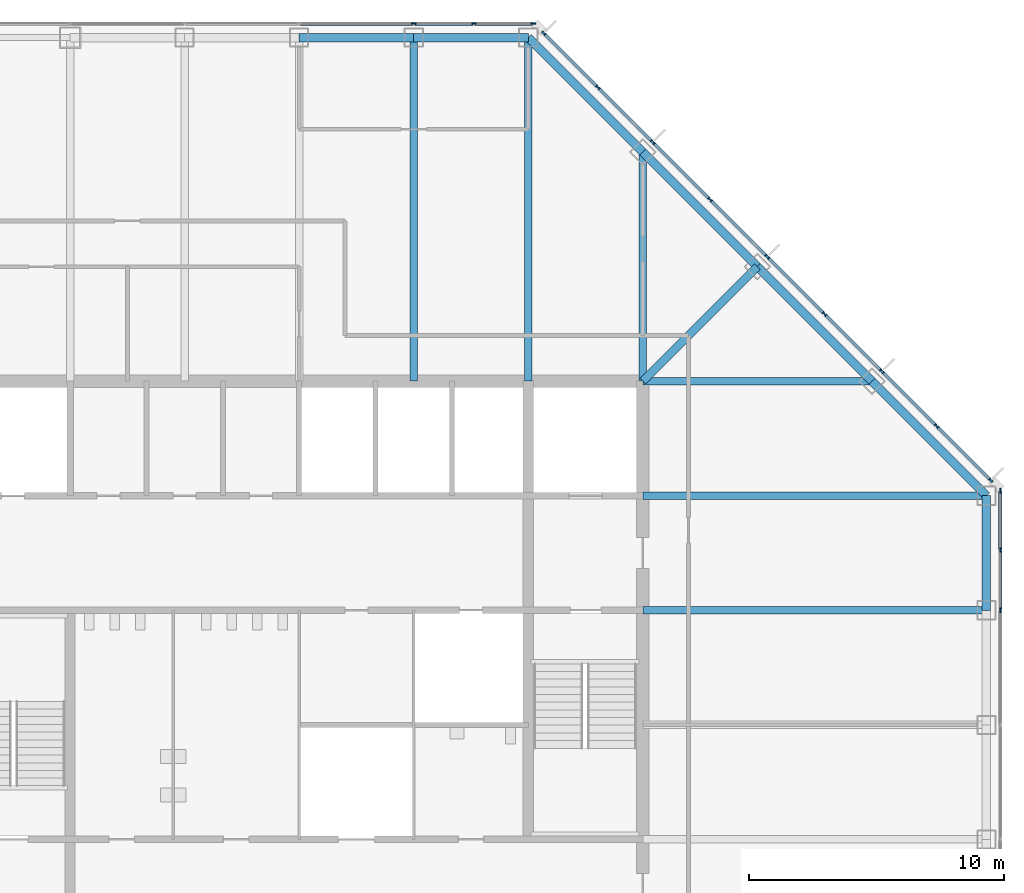
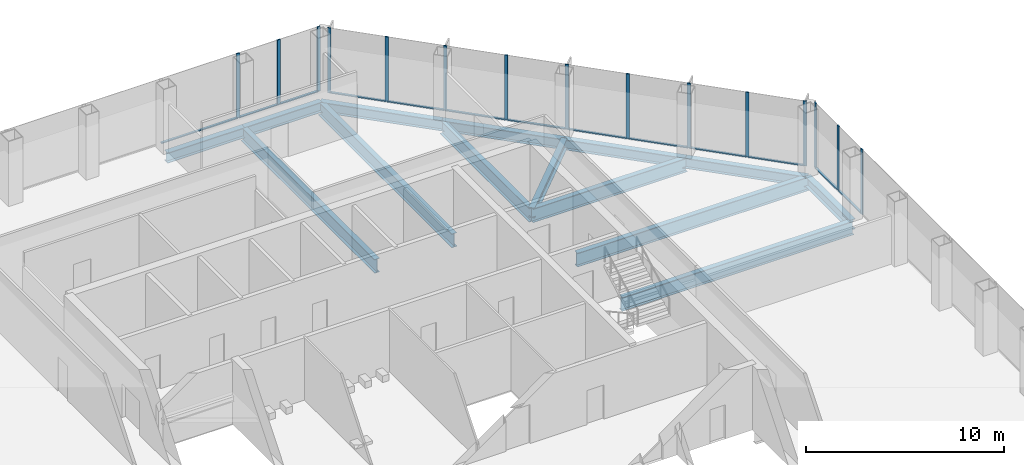
# One storey, part 6 of 12: 28 members, 14 beams, 3 elements without a shape of their own.
"""IFC4 building model written with IfcOpenShell, lengths in metres."""

from ifc_helpers import new_model, si_unit, direction, frame, origin, origin_2d, place, context, subcontext, project, spatial, rectangle, i_section, extrude, material, material_profile, profile_set, type_object, element, aggregate, save


model = new_model("IFC4")

# Units and contexts
model_context = context("Model", 3, precision=1e-05, world=origin(), true_north=direction((0.0, 1.0)))
body_context = subcontext(model_context, "Body", "Model", "MODEL_VIEW")
ifc_project = project(units=[si_unit("LENGTHUNIT", "METRE"), si_unit("AREAUNIT", "SQUARE_METRE"), si_unit("VOLUMEUNIT", "CUBIC_METRE"), si_unit("PLANEANGLEUNIT", "RADIAN"), si_unit("MASSUNIT", "GRAM", prefix="KILO")], contexts=[model_context])

# Site, building, storey
site_placement = place(None, origin())
site = spatial("IfcSite", under=ifc_project, at=site_placement, CompositionType="ELEMENT")
building_placement = place(site_placement, origin())
building = spatial("IfcBuilding", under=site, at=building_placement, Name="Corais Broadcast Tower", CompositionType="ELEMENT")
storey_placement = place(building_placement, frame((0.0, 0.0, 143.60009765625)))
storey = spatial("IfcBuildingStorey", under=building, at=storey_placement, Name="L32", CompositionType="ELEMENT", Elevation=143.60009765625)

# Beams
ifc_material_1 = material(Name="Steel ASTM A572 Grade 50", Category="steel")
ifc_material_profile_1 = material_profile(ifc_material_1, i_section(OverallWidth=0.323974609375, OverallDepth=0.611083984375, WebThickness=0.0126953125, FlangeThickness=0.01904296875, at=origin_2d()), Name="W610x155")
ifc_profile_set_1 = profile_set([ifc_material_profile_1], Name="Steel ASTM A572 Grade 50")
beam_type_1 = type_object("IfcBeamType", Name="Corner diagonal W610x155", PredefinedType="BEAM", material=ifc_profile_set_1)
beam_1_placement = place(storey_placement, frame((45.0, 45.0, -0.465576171875), z_axis=(-0.707106781187, -0.707106781187, 0.0), x_axis=(0.707106781187, -0.707106781187, 0.0)))
element("IfcBeam", 1, at=beam_1_placement, inside=storey, type_object=beam_type_1, Name="B6 L/13 to K/12", PredefinedType="BEAM", context=body_context, shape_type="SweptSolid", body=[
    extrude(i_section(OverallWidth=0.323974609375, OverallDepth=0.611083984375, WebThickness=0.0126953125, FlangeThickness=0.01904296875, at=origin_2d()), origin(), (0.0, 0.0, 1.0), 6.364013671875),
])
ifc_material_2 = material(Name="Steel ASTM A572 Grade 50", Category="steel")
ifc_material_profile_2 = material_profile(ifc_material_2, i_section(OverallWidth=0.2939453125, OverallDepth=0.85107421875, WebThickness=0.01611328125, FlangeThickness=0.02685546875, at=origin_2d()), Name="W840x226")
ifc_profile_set_2 = profile_set([ifc_material_profile_2], Name="Steel ASTM A572 Grade 50")
beam_type_2 = type_object("IfcBeamType", Name="Floor beam W840x226", PredefinedType="BEAM", material=ifc_profile_set_2)
for number, where, z_axis, x_axis, name in (
    (2, (31.5, 54.0, -0.585693359375), (0.0, -1.0, 0.0), (1.0, 0.0, 0.0), "B1 N/10 to K/10"),
    (3, (36.0, 54.0, -0.585693359375), (0.0, -1.0, 0.0), (1.0, 0.0, 0.0), "B1 N/11 to K/11"),
):
    element("IfcBeam", number, at=place(storey_placement, frame(where, z_axis=z_axis, x_axis=x_axis)), inside=storey, type_object=beam_type_2, Name=name, PredefinedType="BEAM", context=body_context, shape_type="SweptSolid", body=[
        extrude(i_section(OverallWidth=0.2939453125, OverallDepth=0.85107421875, WebThickness=0.01611328125, FlangeThickness=0.02685546875, at=origin_2d()), origin(), (0.0, 0.0, 1.0), 13.5),
    ])
for number, where, z_axis, x_axis, name in (
    (4, (40.5, 49.5, -0.585693359375), (0.0, -1.0, 0.0), (1.0, 0.0, 0.0), "B1 M/12 to K/12"),
    (5, (49.5, 40.5, -0.585693359375), (-1.0, 0.0, 0.0), (0.0, -1.0, 0.0), "B1 K/14 to K/12"),
):
    element("IfcBeam", number, at=place(storey_placement, frame(where, z_axis=z_axis, x_axis=x_axis)), inside=storey, type_object=beam_type_2, Name=name, PredefinedType="BEAM", context=body_context, shape_type="SweptSolid", body=[
        extrude(i_section(OverallWidth=0.2939453125, OverallDepth=0.85107421875, WebThickness=0.01611328125, FlangeThickness=0.02685546875, at=origin_2d()), origin(), (0.0, 0.0, 1.0), 9.0),
    ])
for number, where, z_axis, x_axis, name in (
    (6, (54.0, 31.5, -0.585693359375), (-1.0, 0.0, 0.0), (0.0, -1.0, 0.0), "B1 H/15 to H/12"),
    (7, (54.0, 36.0, -0.585693359375), (-1.0, 0.0, 0.0), (0.0, -1.0, 0.0), "B1 J/15 to J/12"),
):
    element("IfcBeam", number, at=place(storey_placement, frame(where, z_axis=z_axis, x_axis=x_axis)), inside=storey, type_object=beam_type_2, Name=name, PredefinedType="BEAM", context=body_context, shape_type="SweptSolid", body=[
        extrude(i_section(OverallWidth=0.2939453125, OverallDepth=0.85107421875, WebThickness=0.01611328125, FlangeThickness=0.02685546875, at=origin_2d()), origin(), (0.0, 0.0, 1.0), 13.5),
    ])

# Curtain wall, members
ifc_material_3 = material(Name="Aluminium and glass", Category="aluminium")
curtain_wall_type = type_object("IfcCurtainWallType", Name="Unitised fritted curtain wall CW2", PredefinedType="NOTDEFINED", material=ifc_material_3)
curtain_wall_1_placement = place(storey_placement, origin())
curtain_wall_1 = element("IfcCurtainWall", 8, at=curtain_wall_1_placement, inside=storey, type_object=curtain_wall_type, Name="CW2 curtain wall L32 4", PredefinedType="NOTDEFINED")
ifc_material_4 = material(Name="Aluminium 6063-T6", Category="aluminium")
ifc_material_profile_3 = material_profile(ifc_material_4, rectangle(XDim=0.06494140625, YDim=0.179931640625, at=origin_2d()), Name="Mullion CW2 65x180")
ifc_profile_set_3 = profile_set([ifc_material_profile_3], Name="Aluminium 6063-T6")
member_type_1 = type_object("IfcMemberType", Name="Mullion CW2 65x180", PredefinedType="MULLION", material=ifc_profile_set_3)
member_1_placement = place(storey_placement, frame((31.5, 54.550048828125, 0.0), z_axis=(0.0, 0.0, 1.0), x_axis=(0.0, 1.0, 0.0)))
member_1 = element("IfcMember", 9, at=member_1_placement, type_object=member_type_1, Name="CW2 mullion 7", PredefinedType="MULLION", context=body_context, shape_type="SweptSolid", body=[
    extrude(rectangle(XDim=0.06494140625, YDim=0.179931640625, at=origin_2d()), origin(), (0.0, 0.0, 1.0), 4.0),
])
member_2_placement = place(storey_placement, frame((33.864013671875, 54.550048828125, 0.0), z_axis=(0.0, 0.0, 1.0), x_axis=(0.0, 1.0, 0.0)))
member_2 = element("IfcMember", 10, at=member_2_placement, type_object=member_type_1, Name="CW2 mullion 8", PredefinedType="MULLION", context=body_context, shape_type="SweptSolid", body=[
    extrude(rectangle(XDim=0.06494140625, YDim=0.179931640625, at=origin_2d()), origin(), (0.0, 0.0, 1.0), 4.0),
])
member_3_placement = place(storey_placement, frame((36.1953125, 54.550048828125, 0.0), z_axis=(0.0, 0.0, 1.0), x_axis=(0.0, 1.0, 0.0)))
member_3 = element("IfcMember", 11, at=member_3_placement, type_object=member_type_1, Name="CW2 mullion 9", PredefinedType="MULLION", context=body_context, shape_type="SweptSolid", body=[
    extrude(rectangle(XDim=0.06494140625, YDim=0.179931640625, at=origin_2d()), origin(), (0.0, 0.0, 1.0), 4.0),
])

curtain_wall_2_placement = place(storey_placement, origin())
curtain_wall_2 = element("IfcCurtainWall", 12, at=curtain_wall_2_placement, inside=storey, type_object=curtain_wall_type, Name="CW2 curtain wall L32 5", PredefinedType="NOTDEFINED")
member_4_placement = place(storey_placement, frame((36.6044921875, 54.17333984375, 0.0), z_axis=(0.0, 0.0, 1.0), x_axis=(0.707106781187, 0.707106781187, 0.0)))
member_4 = element("IfcMember", 13, at=member_4_placement, type_object=member_type_1, Name="CW2 mullion 1", PredefinedType="MULLION", context=body_context, shape_type="SweptSolid", body=[
    extrude(rectangle(XDim=0.06494140625, YDim=0.179931640625, at=origin_2d()), origin(), (0.0, 0.0, 1.0), 4.0),
])
member_5_placement = place(storey_placement, frame((38.735107421875, 52.042724609375, 0.0), z_axis=(0.0, 0.0, 1.0), x_axis=(0.707106781187, 0.707106781187, 0.0)))
member_5 = element("IfcMember", 14, at=member_5_placement, type_object=member_type_1, Name="CW2 mullion 2", PredefinedType="MULLION", context=body_context, shape_type="SweptSolid", body=[
    extrude(rectangle(XDim=0.06494140625, YDim=0.179931640625, at=origin_2d()), origin(), (0.0, 0.0, 1.0), 4.0),
])
member_6_placement = place(storey_placement, frame((40.888916015625, 49.888916015625, 0.0), z_axis=(0.0, 0.0, 1.0), x_axis=(0.707106781187, 0.707106781187, 0.0)))
member_6 = element("IfcMember", 15, at=member_6_placement, type_object=member_type_1, Name="CW2 mullion 3", PredefinedType="MULLION", context=body_context, shape_type="SweptSolid", body=[
    extrude(rectangle(XDim=0.06494140625, YDim=0.179931640625, at=origin_2d()), origin(), (0.0, 0.0, 1.0), 4.0),
])
member_7_placement = place(storey_placement, frame((43.138916015625, 47.638916015625, 0.0), z_axis=(0.0, 0.0, 1.0), x_axis=(0.707106781187, 0.707106781187, 0.0)))
member_7 = element("IfcMember", 16, at=member_7_placement, type_object=member_type_1, Name="CW2 mullion 4", PredefinedType="MULLION", context=body_context, shape_type="SweptSolid", body=[
    extrude(rectangle(XDim=0.06494140625, YDim=0.179931640625, at=origin_2d()), origin(), (0.0, 0.0, 1.0), 4.0),
])
member_8_placement = place(storey_placement, frame((45.388916015625, 45.388916015625, 0.0), z_axis=(0.0, 0.0, 1.0), x_axis=(0.707106781187, 0.707106781187, 0.0)))
member_8 = element("IfcMember", 17, at=member_8_placement, type_object=member_type_1, Name="CW2 mullion 5", PredefinedType="MULLION", context=body_context, shape_type="SweptSolid", body=[
    extrude(rectangle(XDim=0.06494140625, YDim=0.179931640625, at=origin_2d()), origin(), (0.0, 0.0, 1.0), 4.0),
])
member_9_placement = place(storey_placement, frame((47.638916015625, 43.138916015625, 0.0), z_axis=(0.0, 0.0, 1.0), x_axis=(0.707106781187, 0.707106781187, 0.0)))
member_9 = element("IfcMember", 18, at=member_9_placement, type_object=member_type_1, Name="CW2 mullion 6", PredefinedType="MULLION", context=body_context, shape_type="SweptSolid", body=[
    extrude(rectangle(XDim=0.06494140625, YDim=0.179931640625, at=origin_2d()), origin(), (0.0, 0.0, 1.0), 4.0),
])
member_10_placement = place(storey_placement, frame((49.888916015625, 40.888916015625, 0.0), z_axis=(0.0, 0.0, 1.0), x_axis=(0.707106781187, 0.707106781187, 0.0)))
member_10 = element("IfcMember", 19, at=member_10_placement, type_object=member_type_1, Name="CW2 mullion 7", PredefinedType="MULLION", context=body_context, shape_type="SweptSolid", body=[
    extrude(rectangle(XDim=0.06494140625, YDim=0.179931640625, at=origin_2d()), origin(), (0.0, 0.0, 1.0), 4.0),
])
member_11_placement = place(storey_placement, frame((52.042724609375, 38.735107421875, 0.0), z_axis=(0.0, 0.0, 1.0), x_axis=(0.707106781187, 0.707106781187, 0.0)))
member_11 = element("IfcMember", 20, at=member_11_placement, type_object=member_type_1, Name="CW2 mullion 8", PredefinedType="MULLION", context=body_context, shape_type="SweptSolid", body=[
    extrude(rectangle(XDim=0.06494140625, YDim=0.179931640625, at=origin_2d()), origin(), (0.0, 0.0, 1.0), 4.0),
])
member_12_placement = place(storey_placement, frame((54.17333984375, 36.6044921875, 0.0), z_axis=(0.0, 0.0, 1.0), x_axis=(0.707106781187, 0.707106781187, 0.0)))
member_12 = element("IfcMember", 21, at=member_12_placement, type_object=member_type_1, Name="CW2 mullion 9", PredefinedType="MULLION", context=body_context, shape_type="SweptSolid", body=[
    extrude(rectangle(XDim=0.06494140625, YDim=0.179931640625, at=origin_2d()), origin(), (0.0, 0.0, 1.0), 4.0),
])

curtain_wall_3_placement = place(storey_placement, origin())
curtain_wall_3 = element("IfcCurtainWall", 22, at=curtain_wall_3_placement, inside=storey, type_object=curtain_wall_type, Name="CW2 curtain wall L32 6", PredefinedType="NOTDEFINED")
member_13_placement = place(storey_placement, frame((54.550048828125, 36.1953125, 0.0), z_axis=(0.0, 0.0, 1.0), x_axis=(1.0, 0.0, 0.0)))
member_13 = element("IfcMember", 23, at=member_13_placement, type_object=member_type_1, Name="CW2 mullion 1", PredefinedType="MULLION", context=body_context, shape_type="SweptSolid", body=[
    extrude(rectangle(XDim=0.06494140625, YDim=0.179931640625, at=origin_2d()), origin(), (0.0, 0.0, 1.0), 4.0),
])
member_14_placement = place(storey_placement, frame((54.550048828125, 33.864013671875, 0.0), z_axis=(0.0, 0.0, 1.0), x_axis=(1.0, 0.0, 0.0)))
member_14 = element("IfcMember", 24, at=member_14_placement, type_object=member_type_1, Name="CW2 mullion 2", PredefinedType="MULLION", context=body_context, shape_type="SweptSolid", body=[
    extrude(rectangle(XDim=0.06494140625, YDim=0.179931640625, at=origin_2d()), origin(), (0.0, 0.0, 1.0), 4.0),
])
member_15_placement = place(storey_placement, frame((54.550048828125, 31.5, 0.0), z_axis=(0.0, 0.0, 1.0), x_axis=(1.0, 0.0, 0.0)))
member_15 = element("IfcMember", 25, at=member_15_placement, type_object=member_type_1, Name="CW2 mullion 3", PredefinedType="MULLION", context=body_context, shape_type="SweptSolid", body=[
    extrude(rectangle(XDim=0.06494140625, YDim=0.179931640625, at=origin_2d()), origin(), (0.0, 0.0, 1.0), 4.0),
])

# Beams
ifc_material_5 = material(Name="Steel ASTM A572 Grade 50", Category="steel")
ifc_material_profile_4 = material_profile(ifc_material_5, i_section(OverallWidth=0.3291015625, OverallDepth=0.635009765625, WebThickness=0.017822265625, FlangeThickness=0.031005859375, at=origin_2d()), Name="W610x241")
ifc_profile_set_4 = profile_set([ifc_material_profile_4], Name="Steel ASTM A572 Grade 50")
beam_type_3 = type_object("IfcBeamType", Name="Spandrel W610x241", PredefinedType="BEAM", material=ifc_profile_set_4)
for number, where, z_axis, x_axis, name in (
    (26, (31.5, 54.0, -0.4775390625), (-1.0, 0.0, 0.0), (0.0, -1.0, 0.0), "SB1 N/10 to N/9"),
    (27, (36.0, 54.0, -0.4775390625), (-1.0, 0.0, 0.0), (0.0, -1.0, 0.0), "SB1 N/11 to N/10"),
):
    element("IfcBeam", number, at=place(storey_placement, frame(where, z_axis=z_axis, x_axis=x_axis)), inside=storey, type_object=beam_type_3, Name=name, PredefinedType="BEAM", context=body_context, shape_type="SweptSolid", body=[
        extrude(i_section(OverallWidth=0.3291015625, OverallDepth=0.635009765625, WebThickness=0.017822265625, FlangeThickness=0.031005859375, at=origin_2d()), origin(), (0.0, 0.0, 1.0), 4.5),
    ])
for number, where, z_axis, x_axis, name in (
    (28, (40.5, 49.5, -0.4775390625), (-0.707106781187, 0.707106781187, 0.0), (-0.707106781187, -0.707106781187, 0.0), "SB1 M/12 to N/11"),
    (29, (45.0, 45.0, -0.4775390625), (-0.707106781187, 0.707106781187, 0.0), (-0.707106781187, -0.707106781187, 0.0), "SB1 L/13 to M/12"),
    (30, (49.5, 40.5, -0.4775390625), (-0.707106781187, 0.707106781187, 0.0), (-0.707106781187, -0.707106781187, 0.0), "SB1 K/14 to L/13"),
):
    element("IfcBeam", number, at=place(storey_placement, frame(where, z_axis=z_axis, x_axis=x_axis)), inside=storey, type_object=beam_type_3, Name=name, PredefinedType="BEAM", context=body_context, shape_type="SweptSolid", body=[
        extrude(i_section(OverallWidth=0.3291015625, OverallDepth=0.635009765625, WebThickness=0.017822265625, FlangeThickness=0.031005859375, at=origin_2d()), origin(), (0.0, 0.0, 1.0), 6.364013671875),
    ])
beam_2_placement = place(storey_placement, frame((54.0, 31.5, -0.4775390625), z_axis=(0.0, 1.0, 0.0), x_axis=(-1.0, 0.0, 0.0)))
element("IfcBeam", 31, at=beam_2_placement, inside=storey, type_object=beam_type_3, Name="SB1 H/15 to J/15", PredefinedType="BEAM", context=body_context, shape_type="SweptSolid", body=[
    extrude(i_section(OverallWidth=0.3291015625, OverallDepth=0.635009765625, WebThickness=0.017822265625, FlangeThickness=0.031005859375, at=origin_2d()), origin(), (0.0, 0.0, 1.0), 4.5),
])
beam_3_placement = place(storey_placement, frame((54.0, 36.0, -0.4775390625), z_axis=(-0.707106781187, 0.707106781187, 0.0), x_axis=(-0.707106781187, -0.707106781187, 0.0)))
element("IfcBeam", 32, at=beam_3_placement, inside=storey, type_object=beam_type_3, Name="SB1 J/15 to K/14", PredefinedType="BEAM", context=body_context, shape_type="SweptSolid", body=[
    extrude(i_section(OverallWidth=0.3291015625, OverallDepth=0.635009765625, WebThickness=0.017822265625, FlangeThickness=0.031005859375, at=origin_2d()), origin(), (0.0, 0.0, 1.0), 6.364013671875),
])

# Member
ifc_material_6 = material(Name="Aluminium 6063-T6", Category="aluminium")
ifc_material_profile_5 = material_profile(ifc_material_6, rectangle(XDim=0.1298828125, YDim=0.06494140625, at=origin_2d()), Name="Transom CW2 65x130")
ifc_profile_set_5 = profile_set([ifc_material_profile_5], Name="Aluminium 6063-T6")
member_type_2 = type_object("IfcMemberType", Name="Transom CW2 65x130", PredefinedType="USERDEFINED", material=ifc_profile_set_5)
member_16_placement = place(storey_placement, frame((27.032470703125, 54.550048828125, 0.032470703125), z_axis=(1.0, 0.0, 0.0), x_axis=(0.0, 1.0, 0.0)))
member_16 = element("IfcMember", 33, at=member_16_placement, type_object=member_type_2, Name="CW2 transom 6.1", ObjectType="TRANSOM", PredefinedType="USERDEFINED", context=body_context, shape_type="SweptSolid", body=[
    extrude(rectangle(XDim=0.1298828125, YDim=0.06494140625, at=origin_2d()), origin(), (0.0, 0.0, 1.0), 4.43505859375),
])

member_17_placement = place(storey_placement, frame((31.532470703125, 54.550048828125, 0.032470703125), z_axis=(1.0, 0.0, 0.0), x_axis=(0.0, 1.0, 0.0)))
member_17 = element("IfcMember", 34, at=member_17_placement, type_object=member_type_2, Name="CW2 transom 7.1", ObjectType="TRANSOM", PredefinedType="USERDEFINED", context=body_context, shape_type="SweptSolid", body=[
    extrude(rectangle(XDim=0.1298828125, YDim=0.06494140625, at=origin_2d()), origin(), (0.0, 0.0, 1.0), 2.298828125),
])

member_18_placement = place(storey_placement, frame((33.896484375, 54.550048828125, 0.032470703125), z_axis=(1.0, 0.0, 0.0), x_axis=(0.0, 1.0, 0.0)))
member_18 = element("IfcMember", 35, at=member_18_placement, type_object=member_type_2, Name="CW2 transom 8.1", ObjectType="TRANSOM", PredefinedType="USERDEFINED", context=body_context, shape_type="SweptSolid", body=[
    extrude(rectangle(XDim=0.1298828125, YDim=0.06494140625, at=origin_2d()), origin(), (0.0, 0.0, 1.0), 2.266357421875),
])

aggregate(curtain_wall_1, [member_1, member_2, member_3, member_16, member_17, member_18])

member_19_placement = place(storey_placement, frame((36.62744140625, 54.150390625, 0.032470703125), z_axis=(0.707106781187, -0.707106781187, 0.0), x_axis=(0.707106781187, 0.707106781187, 0.0)))
member_19 = element("IfcMember", 36, at=member_19_placement, type_object=member_type_2, Name="CW2 transom 1.1", ObjectType="TRANSOM", PredefinedType="USERDEFINED", context=body_context, shape_type="SweptSolid", body=[
    extrude(rectangle(XDim=0.1298828125, YDim=0.06494140625, at=origin_2d()), origin(), (0.0, 0.0, 1.0), 2.9482421875),
])

member_20_placement = place(storey_placement, frame((38.758056640625, 52.019775390625, 0.032470703125), z_axis=(0.707106781187, -0.707106781187, 0.0), x_axis=(0.707106781187, 0.707106781187, 0.0)))
member_20 = element("IfcMember", 37, at=member_20_placement, type_object=member_type_2, Name="CW2 transom 2.1", ObjectType="TRANSOM", PredefinedType="USERDEFINED", context=body_context, shape_type="SweptSolid", body=[
    extrude(rectangle(XDim=0.1298828125, YDim=0.06494140625, at=origin_2d()), origin(), (0.0, 0.0, 1.0), 2.98095703125),
])

member_21_placement = place(storey_placement, frame((40.911865234375, 49.865966796875, 0.032470703125), z_axis=(0.707106781187, -0.707106781187, 0.0), x_axis=(0.707106781187, 0.707106781187, 0.0)))
member_21 = element("IfcMember", 38, at=member_21_placement, type_object=member_type_2, Name="CW2 transom 3.1", ObjectType="TRANSOM", PredefinedType="USERDEFINED", context=body_context, shape_type="SweptSolid", body=[
    extrude(rectangle(XDim=0.1298828125, YDim=0.06494140625, at=origin_2d()), origin(), (0.0, 0.0, 1.0), 3.1171875),
])

member_22_placement = place(storey_placement, frame((43.161865234375, 47.615966796875, 0.032470703125), z_axis=(0.707106781187, -0.707106781187, 0.0), x_axis=(0.707106781187, 0.707106781187, 0.0)))
member_22 = element("IfcMember", 39, at=member_22_placement, type_object=member_type_2, Name="CW2 transom 4.1", ObjectType="TRANSOM", PredefinedType="USERDEFINED", context=body_context, shape_type="SweptSolid", body=[
    extrude(rectangle(XDim=0.1298828125, YDim=0.06494140625, at=origin_2d()), origin(), (0.0, 0.0, 1.0), 3.1171875),
])

member_23_placement = place(storey_placement, frame((45.411865234375, 45.365966796875, 0.032470703125), z_axis=(0.707106781187, -0.707106781187, 0.0), x_axis=(0.707106781187, 0.707106781187, 0.0)))
member_23 = element("IfcMember", 40, at=member_23_placement, type_object=member_type_2, Name="CW2 transom 5.1", ObjectType="TRANSOM", PredefinedType="USERDEFINED", context=body_context, shape_type="SweptSolid", body=[
    extrude(rectangle(XDim=0.1298828125, YDim=0.06494140625, at=origin_2d()), origin(), (0.0, 0.0, 1.0), 3.1171875),
])

member_24_placement = place(storey_placement, frame((47.661865234375, 43.115966796875, 0.032470703125), z_axis=(0.707106781187, -0.707106781187, 0.0), x_axis=(0.707106781187, 0.707106781187, 0.0)))
member_24 = element("IfcMember", 41, at=member_24_placement, type_object=member_type_2, Name="CW2 transom 6.1", ObjectType="TRANSOM", PredefinedType="USERDEFINED", context=body_context, shape_type="SweptSolid", body=[
    extrude(rectangle(XDim=0.1298828125, YDim=0.06494140625, at=origin_2d()), origin(), (0.0, 0.0, 1.0), 3.1171875),
])

member_25_placement = place(storey_placement, frame((49.911865234375, 40.865966796875, 0.032470703125), z_axis=(0.707065828661, -0.70714773134, 0.0), x_axis=(0.70714773134, 0.707065828661, 0.0)))
member_25 = element("IfcMember", 42, at=member_25_placement, type_object=member_type_2, Name="CW2 transom 7.1", ObjectType="TRANSOM", PredefinedType="USERDEFINED", context=body_context, shape_type="SweptSolid", body=[
    extrude(rectangle(XDim=0.1298828125, YDim=0.06494140625, at=origin_2d()), origin(), (0.0, 0.0, 1.0), 2.98095703125),
])

member_26_placement = place(storey_placement, frame((52.065673828125, 38.712158203125, 0.032470703125), z_axis=(0.707106781187, -0.707106781187, 0.0), x_axis=(0.707106781187, 0.707106781187, 0.0)))
member_26 = element("IfcMember", 43, at=member_26_placement, type_object=member_type_2, Name="CW2 transom 8.1", ObjectType="TRANSOM", PredefinedType="USERDEFINED", context=body_context, shape_type="SweptSolid", body=[
    extrude(rectangle(XDim=0.1298828125, YDim=0.06494140625, at=origin_2d()), origin(), (0.0, 0.0, 1.0), 2.9482421875),
])

aggregate(curtain_wall_2, [member_4, member_5, member_6, member_7, member_8, member_9, member_10, member_11, member_12, member_19, member_20, member_21, member_22, member_23, member_24, member_25, member_26])

member_27_placement = place(storey_placement, frame((54.550048828125, 36.162841796875, 0.032470703125), z_axis=(0.0, -1.0, 0.0), x_axis=(1.0, 0.0, 0.0)))
member_27 = element("IfcMember", 44, at=member_27_placement, type_object=member_type_2, Name="CW2 transom 1.1", ObjectType="TRANSOM", PredefinedType="USERDEFINED", context=body_context, shape_type="SweptSolid", body=[
    extrude(rectangle(XDim=0.1298828125, YDim=0.06494140625, at=origin_2d()), origin(), (0.0, 0.0, 1.0), 2.266357421875),
])

member_28_placement = place(storey_placement, frame((54.550048828125, 33.831298828125, 0.032470703125), z_axis=(0.0, -1.0, 0.0), x_axis=(1.0, 0.0, 0.0)))
member_28 = element("IfcMember", 45, at=member_28_placement, type_object=member_type_2, Name="CW2 transom 2.1", ObjectType="TRANSOM", PredefinedType="USERDEFINED", context=body_context, shape_type="SweptSolid", body=[
    extrude(rectangle(XDim=0.1298828125, YDim=0.06494140625, at=origin_2d()), origin(), (0.0, 0.0, 1.0), 2.298828125),
])

aggregate(curtain_wall_3, [member_13, member_14, member_15, member_27, member_28])

save(model, "model.ifc")
